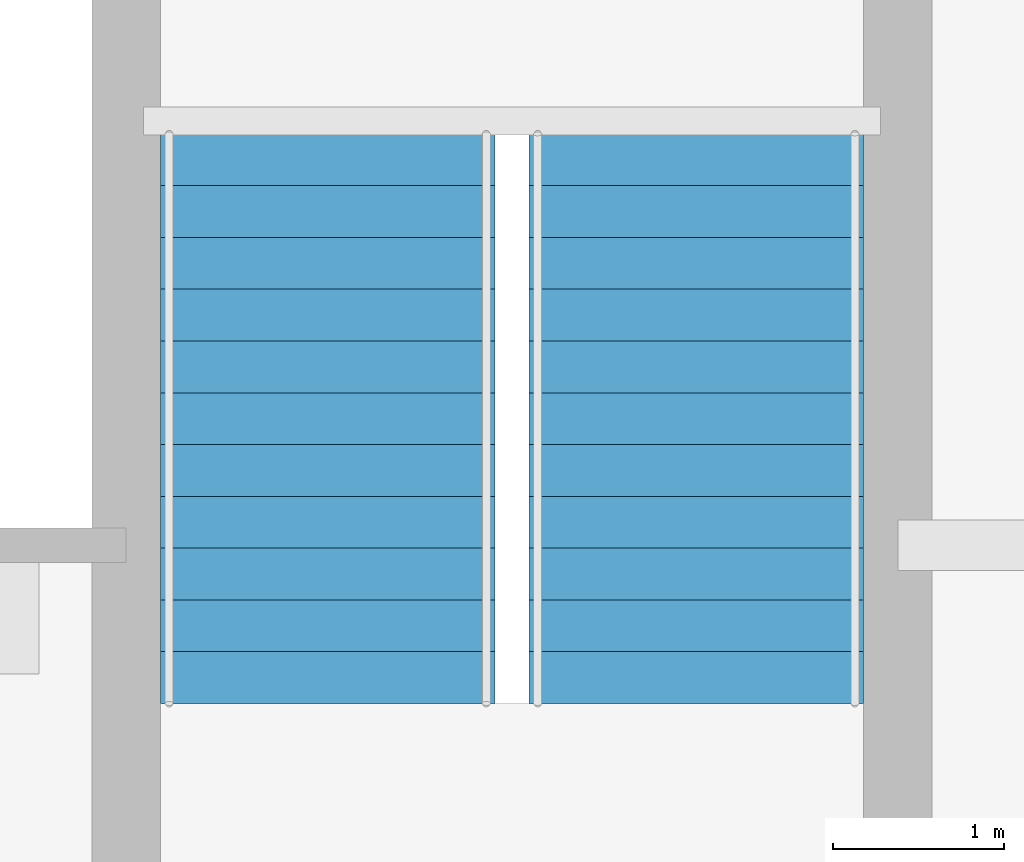
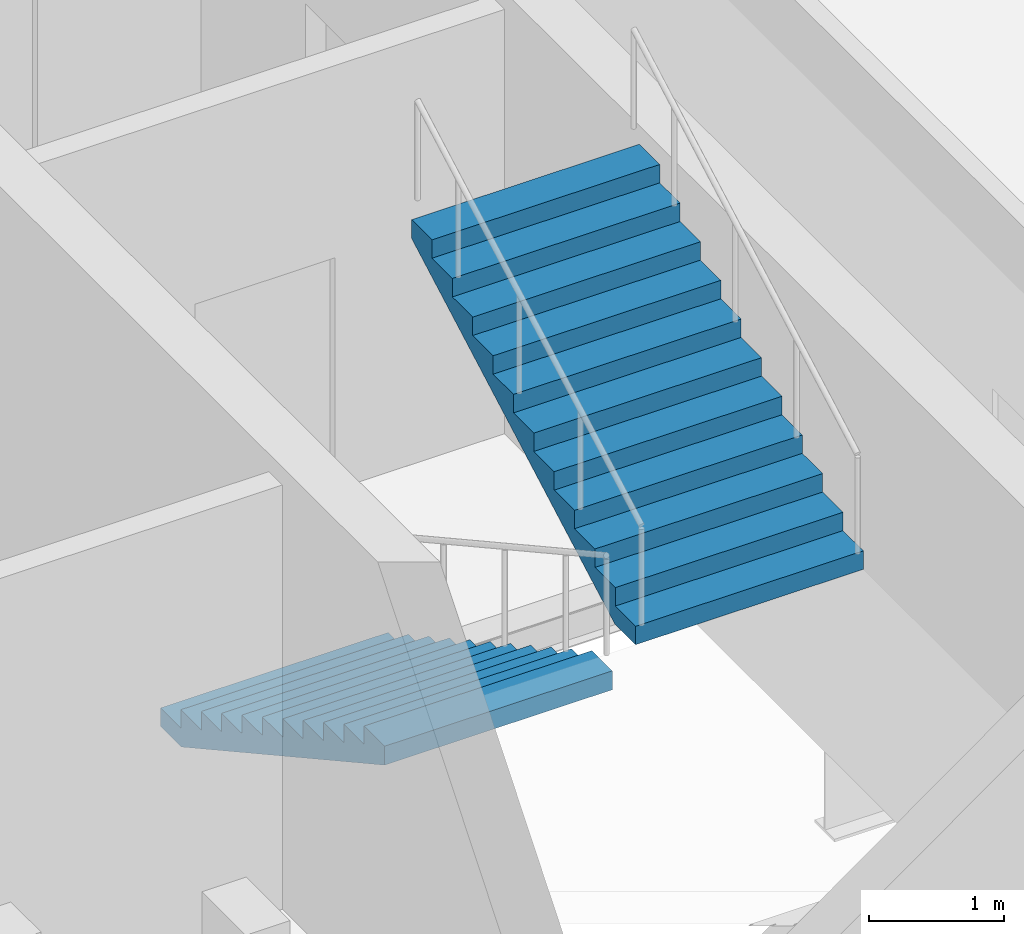
# One storey, part 12 of 14: 2 stair flights, 1 element without a shape of its own.
"""IFC4 building model written with IfcOpenShell, lengths in metres."""

from ifc_helpers import new_model, si_unit, direction, frame, origin, place, context, subcontext, project, spatial, polyline, outline, extrude, material, type_object, element, aggregate, save


model = new_model("IFC4")

# Units and contexts
model_context = context("Model", 3, precision=1e-05, world=origin(), true_north=direction((0.0, 1.0)))
body_context = subcontext(model_context, "Body", "Model", "MODEL_VIEW")
ifc_project = project(units=[si_unit("LENGTHUNIT", "METRE"), si_unit("AREAUNIT", "SQUARE_METRE"), si_unit("VOLUMEUNIT", "CUBIC_METRE"), si_unit("PLANEANGLEUNIT", "RADIAN"), si_unit("MASSUNIT", "GRAM", prefix="KILO")], contexts=[model_context])

# Site, building, storey
site_placement = place(None, origin())
site = spatial("IfcSite", under=ifc_project, at=site_placement, CompositionType="ELEMENT")
building_placement = place(site_placement, origin())
building = spatial("IfcBuilding", under=site, at=building_placement, Name="Corais Broadcast Tower", CompositionType="ELEMENT")
storey_placement = place(building_placement, frame((0.0, 0.0, 262.60009765625)))
storey = spatial("IfcBuildingStorey", under=building, at=storey_placement, Name="L61", CompositionType="ELEMENT", Elevation=262.60009765625)

# Stair, stair flights
ifc_material_1 = material(Name="Concrete C30/37", Category="concrete")
stair_type = type_object("IfcStairType", Name="Half-turn stair 4000", PredefinedType="HALF_TURN_STAIR", material=ifc_material_1)
stair_placement = place(storey_placement, origin())
stair = element("IfcStair", 1, at=stair_placement, inside=storey, type_object=stair_type, Name="Stair B L61", PredefinedType="HALF_TURN_STAIR")
ifc_material_2 = material(Name="Concrete C30/37", Category="concrete")
stair_flight_type = type_object("IfcStairFlightType", Name="Stair flight 4000", PredefinedType="STRAIGHT", material=ifc_material_2)
stair_flight_1_placement = place(storey_placement, frame((37.175048828125, 29.39990234375, 0.0), z_axis=(0.0, 0.0, 1.0), x_axis=(0.0, -1.0, 0.0)))
stair_flight_1 = element("IfcStairFlight", 2, at=stair_flight_1_placement, type_object=stair_flight_type, Name="STB flight 1", NumberOfRisers=12, NumberOfTreads=11, PredefinedType="STRAIGHT", RiserHeight=0.166666667, TreadLength=0.302, context=body_context, shape_type="SweptSolid", body=[
    extrude(outline(polyline([(0.0, 0.0), (0.0, 0.166748046875), (0.302001953125, 0.166748046875), (0.302001953125, 0.333251953125), (0.60400390625, 0.333251953125), (0.60400390625, 0.5), (0.906005859375, 0.5), (0.906005859375, 0.666748046875), (1.2080078125, 0.666748046875), (1.2080078125, 0.833251953125), (1.510009765625, 0.833251953125), (1.510009765625, 1.0), (1.81201171875, 1.0), (1.81201171875, 1.166748046875), (2.114013671875, 1.166748046875), (2.114013671875, 1.333251953125), (2.416015625, 1.333251953125), (2.416015625, 1.5), (2.718017578125, 1.5), (2.718017578125, 1.666748046875), (3.02001953125, 1.666748046875), (3.02001953125, 1.833251953125), (3.322021484375, 1.833251953125), (3.322021484375, 2.0), (3.322021484375, 1.662109375), (0.310302734375, 0.0), (0.0, 0.0)])), frame((0.0, 0.97509765625, 0.0), z_axis=(0.0, -1.0, 0.0), x_axis=(1.0, 0.0, 0.0)), (0.0, 0.0, 1.0), 1.949951171875),
])
stair_flight_2_placement = place(storey_placement, frame((39.324951171875, 26.077880859375, 2.0), z_axis=(0.0, 0.0, 1.0), x_axis=(0.0, 1.0, 0.0)))
stair_flight_2 = element("IfcStairFlight", 3, at=stair_flight_2_placement, type_object=stair_flight_type, Name="STB flight 2", NumberOfRisers=12, NumberOfTreads=11, PredefinedType="STRAIGHT", RiserHeight=0.166666667, TreadLength=0.302, context=body_context, shape_type="SweptSolid", body=[
    extrude(outline(polyline([(0.0, 0.0), (0.0, 0.166748046875), (0.302001953125, 0.166748046875), (0.302001953125, 0.333251953125), (0.60400390625, 0.333251953125), (0.60400390625, 0.5), (0.906005859375, 0.5), (0.906005859375, 0.666748046875), (1.2080078125, 0.666748046875), (1.2080078125, 0.833251953125), (1.510009765625, 0.833251953125), (1.510009765625, 1.0), (1.81201171875, 1.0), (1.81201171875, 1.166748046875), (2.114013671875, 1.166748046875), (2.114013671875, 1.333251953125), (2.416015625, 1.333251953125), (2.416015625, 1.5), (2.718017578125, 1.5), (2.718017578125, 1.666748046875), (3.02001953125, 1.666748046875), (3.02001953125, 1.833251953125), (3.322021484375, 1.833251953125), (3.322021484375, 2.0), (3.322021484375, 1.662109375), (0.310302734375, 0.0), (0.0, 0.0)])), frame((0.0, 0.97509765625, 0.0), z_axis=(0.0, -1.0, 0.0), x_axis=(1.0, 0.0, 0.0)), (0.0, 0.0, 1.0), 1.949951171875),
])
aggregate(stair, [stair_flight_1, stair_flight_2])

save(model, "model.ifc")
